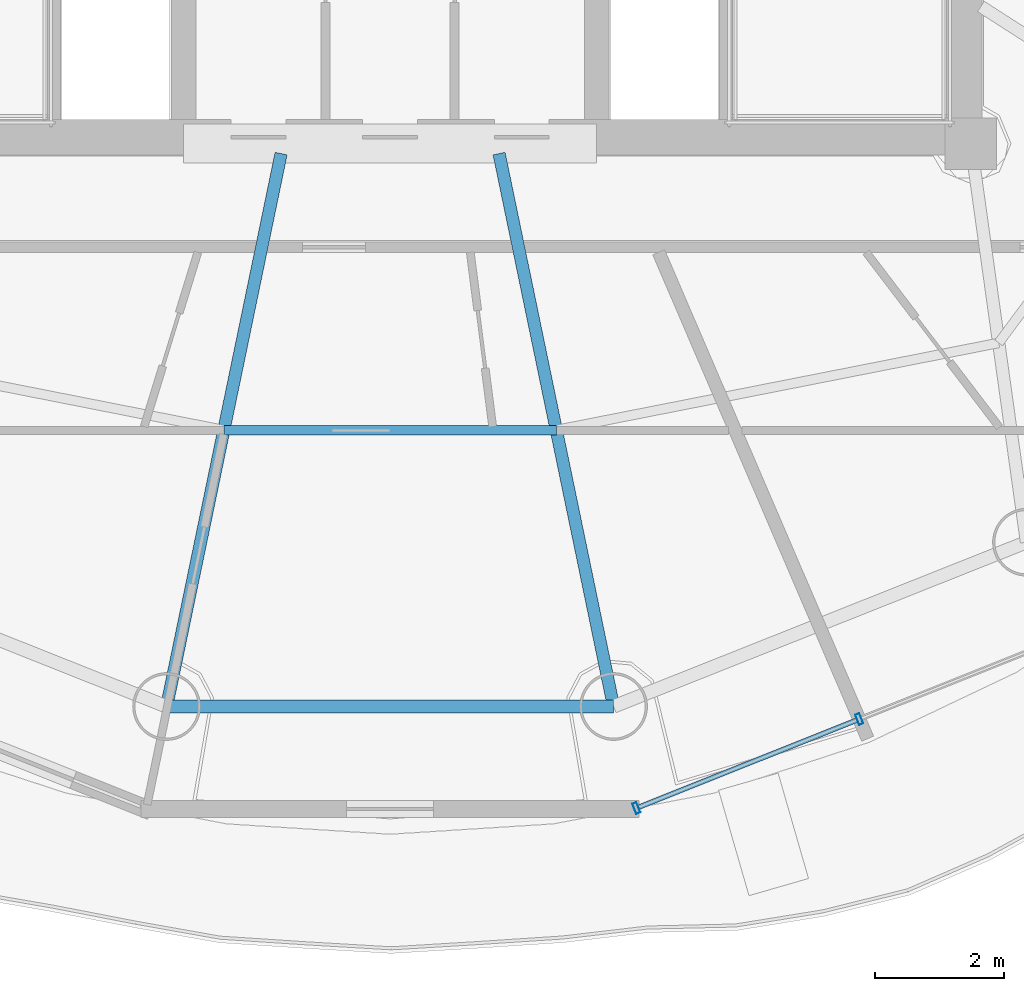
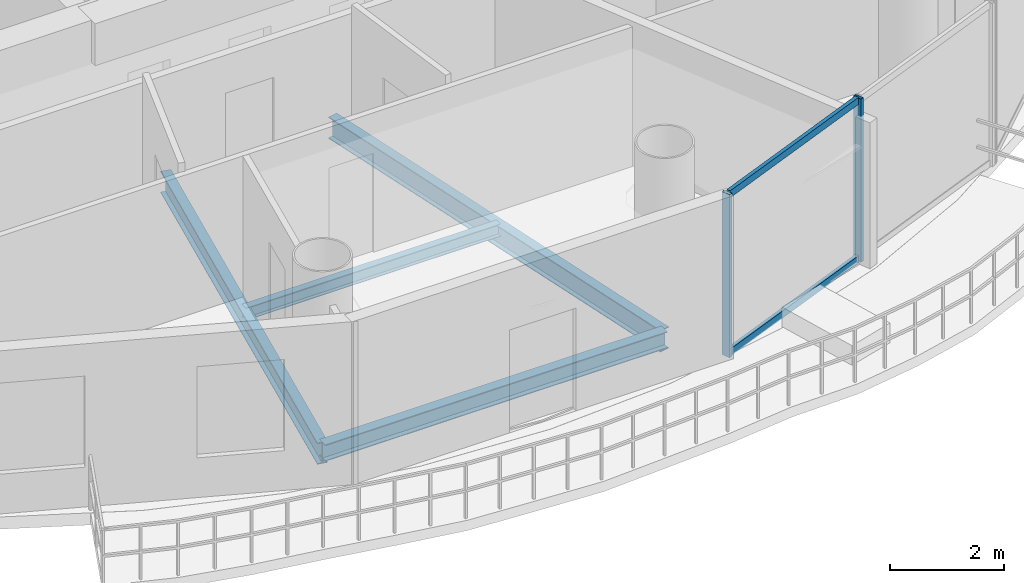
# One storey, part 5 of 24: 4 beams, 4 members, 1 element without a shape of its own.
"""IFC4 building model written with IfcOpenShell, lengths in metres."""

from ifc_helpers import new_model, si_unit, direction, frame, origin, origin_2d, place, context, subcontext, project, spatial, hollow_rectangle, i_section, extrude, source, transform, mapped, material, material_profile, profile_set, type_object, element, aggregate, save


model = new_model("IFC4")

# Units and contexts
model_context = context("Model", 3, precision=1e-05, world=origin(), true_north=direction((-0.2419218956, 0.970295726276)))
body_context = subcontext(model_context, "Body", "Model", "MODEL_VIEW")
ifc_project = project(units=[si_unit("LENGTHUNIT", "METRE"), si_unit("AREAUNIT", "SQUARE_METRE"), si_unit("VOLUMEUNIT", "CUBIC_METRE"), si_unit("PLANEANGLEUNIT", "RADIAN"), si_unit("MASSUNIT", "GRAM", prefix="KILO")], contexts=[model_context])

# Site, building, storey
site_placement = place(None, origin())
site = spatial("IfcSite", under=ifc_project, at=site_placement, CompositionType="ELEMENT")
building_placement = place(site_placement, origin())
building = spatial("IfcBuilding", under=site, at=building_placement, Name="Cobrevalo Terracotta Tower", CompositionType="ELEMENT")
storey_placement = place(building_placement, frame((0.0, 0.0, 274.449951171875)))
storey = spatial("IfcBuildingStorey", under=building, at=storey_placement, Name="L72", CompositionType="ELEMENT", Elevation=274.449951171875)

# Beams
ifc_material_1 = material(Name="Steel S355", Category="steel")
ifc_material_profile_1 = material_profile(ifc_material_1, i_section(OverallWidth=0.19091796875, OverallDepth=0.4599609375, WebThickness=0.010009765625, FlangeThickness=0.01611328125, at=origin_2d()), Name="W 460x82")
ifc_profile_set_1 = profile_set([ifc_material_profile_1], Name="Steel S355")
beam_type_1 = type_object("IfcBeamType", Name="Structural Beam W 460x82 (Steel S355)", PredefinedType="BEAM", material=ifc_profile_set_1)
for number, where, z_axis, x_axis, name in (
    (1, (34.537109375, 10.07763671875, -0.489990234375), (0.202781841237, 0.9792239401, 0.0), (-0.9792239401, 0.202781841237, 0.0), "L72 radial floor girder 12"),
    (2, (41.462890625, 10.07763671875, -0.489990234375), (-0.202781841237, 0.9792239401, 0.0), (-0.9792239401, -0.202781841237, 0.0), "L72 radial floor girder 13"),
):
    element("IfcBeam", number, at=place(storey_placement, frame(where, z_axis=z_axis, x_axis=x_axis)), inside=storey, type_object=beam_type_1, Name=name, PredefinedType="BEAM", context=body_context, shape_type="SweptSolid", body=[
        extrude(i_section(OverallWidth=0.19091796875, OverallDepth=0.4599609375, WebThickness=0.010009765625, FlangeThickness=0.01611328125, at=origin_2d()), origin(), (0.0, 0.0, 1.0), 8.749267578125),
    ])
ifc_material_profile_2 = material_profile(ifc_material_1, i_section(OverallWidth=0.14794921875, OverallDepth=0.26611328125, WebThickness=0.007568359375, FlangeThickness=0.012939453125, at=origin_2d()), Name="W 250x44.8")
ifc_profile_set_2 = profile_set([ifc_material_profile_2], Name="Steel S355")
beam_type_2 = type_object("IfcBeamType", Name="Structural Joist W 250x44.8 (Steel S355)", PredefinedType="JOIST", material=ifc_profile_set_2)
beam_1_placement = place(storey_placement, frame((35.42431640625, 14.361328125, -0.39306640625), z_axis=(1.0, 0.0, 0.0), x_axis=(0.0, 1.0, 0.0)))
element("IfcBeam", 3, at=beam_1_placement, inside=storey, type_object=beam_type_2, Name="L72 circumferential secondary floor joist 12", PredefinedType="JOIST", context=body_context, shape_type="SweptSolid", body=[
    extrude(i_section(OverallWidth=0.14794921875, OverallDepth=0.26611328125, WebThickness=0.007568359375, FlangeThickness=0.012939453125, at=origin_2d()), origin(), (0.0, 0.0, 1.0), 5.1513671875),
])
ifc_material_profile_3 = material_profile(ifc_material_1, i_section(OverallWidth=0.205078125, OverallDepth=0.35400390625, WebThickness=0.009521484375, FlangeThickness=0.016845703125, at=origin_2d()), Name="W 360x79")
ifc_profile_set_3 = profile_set([ifc_material_profile_3], Name="Steel S355")
beam_type_3 = type_object("IfcBeamType", Name="Structural Spandrel W 360x79 (Steel S355)", PredefinedType="SPANDREL", material=ifc_profile_set_3)
beam_2_placement = place(storey_placement, frame((34.537109375, 10.07763671875, -0.43701171875), z_axis=(1.0, 0.0, 0.0), x_axis=(0.0, 1.0, 0.0)))
element("IfcBeam", 4, at=beam_2_placement, inside=storey, type_object=beam_type_3, Name="L72 perimeter ring spandrel 12", PredefinedType="SPANDREL", context=body_context, shape_type="SweptSolid", body=[
    extrude(i_section(OverallWidth=0.205078125, OverallDepth=0.35400390625, WebThickness=0.009521484375, FlangeThickness=0.016845703125, at=origin_2d()), origin(), (0.0, 0.0, 1.0), 6.92578125),
])

# Curtain wall, members
ifc_material_2 = material(Name="Anodized aluminium", Category="aluminium")
curtain_wall_type = type_object("IfcCurtainWallType", Name="Upper-tower triple-glazed penthouse curtain wall CW-U3", PredefinedType="NOTDEFINED", material=ifc_material_2)
curtain_wall_placement = place(storey_placement, origin())
curtain_wall = element("IfcCurtainWall", 5, at=curtain_wall_placement, inside=storey, type_object=curtain_wall_type, Name="L72 curtain wall CW-L72-S13", PredefinedType="NOTDEFINED")
ifc_material_profile_4 = material_profile(ifc_material_2, hollow_rectangle(XDim=0.070068359375, YDim=0.169921875, WallThickness=0.00439453125, at=origin_2d()), Name="CWM 70x170")
ifc_profile_set_4 = profile_set([ifc_material_profile_4], Name="Anodized aluminium")
member_type_1 = type_object("IfcMemberType", Name="Upper tower unitised mullion 70x170", PredefinedType="MULLION", material=ifc_profile_set_4)
shared_shape_1 = source(origin(), body_context, "Body", "SweptSolid", [
    extrude(hollow_rectangle(XDim=0.070068359375, YDim=0.169921875, WallThickness=0.00439453125, at=origin_2d()), origin(), (0.0, 0.0, 1.0), 3.489990234375),
])
member_1_placement = place(storey_placement, frame((41.816162109375, 8.503662109375, 0.0), z_axis=(0.0, 0.0, 1.0), x_axis=(0.928718980883, 0.370784377433, 0.0)))
member_1 = element("IfcMember", 6, at=member_1_placement, type_object=member_type_1, Name="CW-L72-S13 vertical mullion 01", PredefinedType="MULLION", context=body_context, shape_type="MappedRepresentation", body=[
    mapped(shared_shape_1, transform((0.0, 0.0, 0.0), scale=1.0)),
])
member_2_placement = place(storey_placement, frame((45.270263671875, 9.882568359375, 0.0), z_axis=(0.0, 0.0, 1.0), x_axis=(0.928718980883, 0.370784377433, 0.0)))
member_2 = element("IfcMember", 7, at=member_2_placement, type_object=member_type_1, Name="CW-L72-S13 vertical mullion 02", PredefinedType="MULLION", context=body_context, shape_type="MappedRepresentation", body=[
    mapped(shared_shape_1, transform((0.0, 0.0, 0.0), scale=1.0)),
])
ifc_material_profile_5 = material_profile(ifc_material_2, hollow_rectangle(XDim=0.074951171875, YDim=0.14990234375, WallThickness=0.00439453125, at=origin_2d()), Name="CWT 75x150")
ifc_profile_set_5 = profile_set([ifc_material_profile_5], Name="Anodized aluminium")
member_type_2 = type_object("IfcMemberType", Name="Tower unitised aluminium transom 75x150", PredefinedType="USERDEFINED", material=ifc_profile_set_5)
shared_shape_2 = source(origin(), body_context, "Body", "SweptSolid", [
    extrude(hollow_rectangle(XDim=0.074951171875, YDim=0.14990234375, WallThickness=0.00439453125, at=origin_2d()), origin(), (0.0, 0.0, 1.0), 3.63916015625),
])
member_3_placement = place(storey_placement, frame((41.853271484375, 8.518310546875, 0.050048828125), z_axis=(0.928712471544, 0.370800681227, 0.0), x_axis=(-0.370800681227, 0.928712471544, 0.0)))
member_3 = element("IfcMember", 8, at=member_3_placement, type_object=member_type_2, Name="CW-L72-S13 transom B01-T1", ObjectType="TRANSOM", PredefinedType="USERDEFINED", context=body_context, shape_type="MappedRepresentation", body=[
    mapped(shared_shape_2, transform((0.0, 0.0, 0.0), scale=1.0)),
])
member_4_placement = place(storey_placement, frame((41.853271484375, 8.518310546875, 3.43994140625), z_axis=(0.928712471544, 0.370800681227, 0.0), x_axis=(-0.370800681227, 0.928712471544, 0.0)))
member_4 = element("IfcMember", 9, at=member_4_placement, type_object=member_type_2, Name="CW-L72-S13 transom B01-T2", ObjectType="TRANSOM", PredefinedType="USERDEFINED", context=body_context, shape_type="MappedRepresentation", body=[
    mapped(shared_shape_2, transform((0.0, 0.0, 0.0), scale=1.0)),
])
aggregate(curtain_wall, [member_1, member_2, member_3, member_4])

save(model, "model.ifc")
